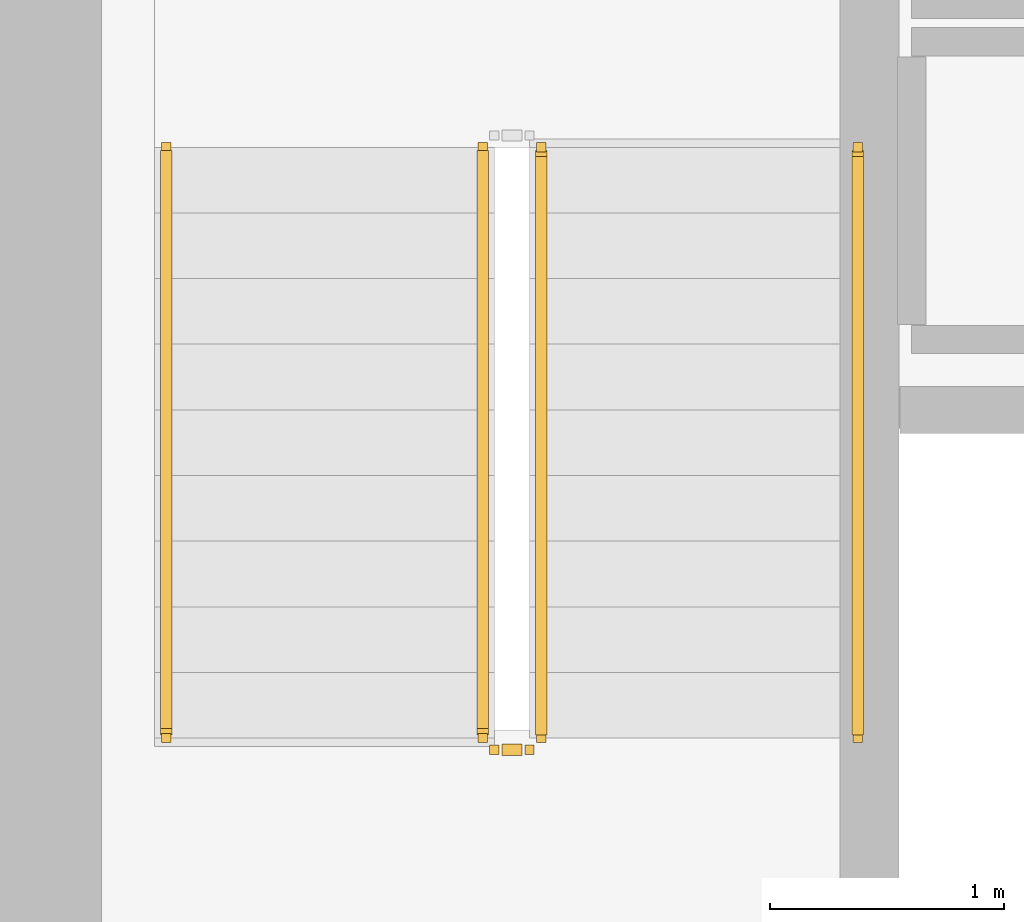
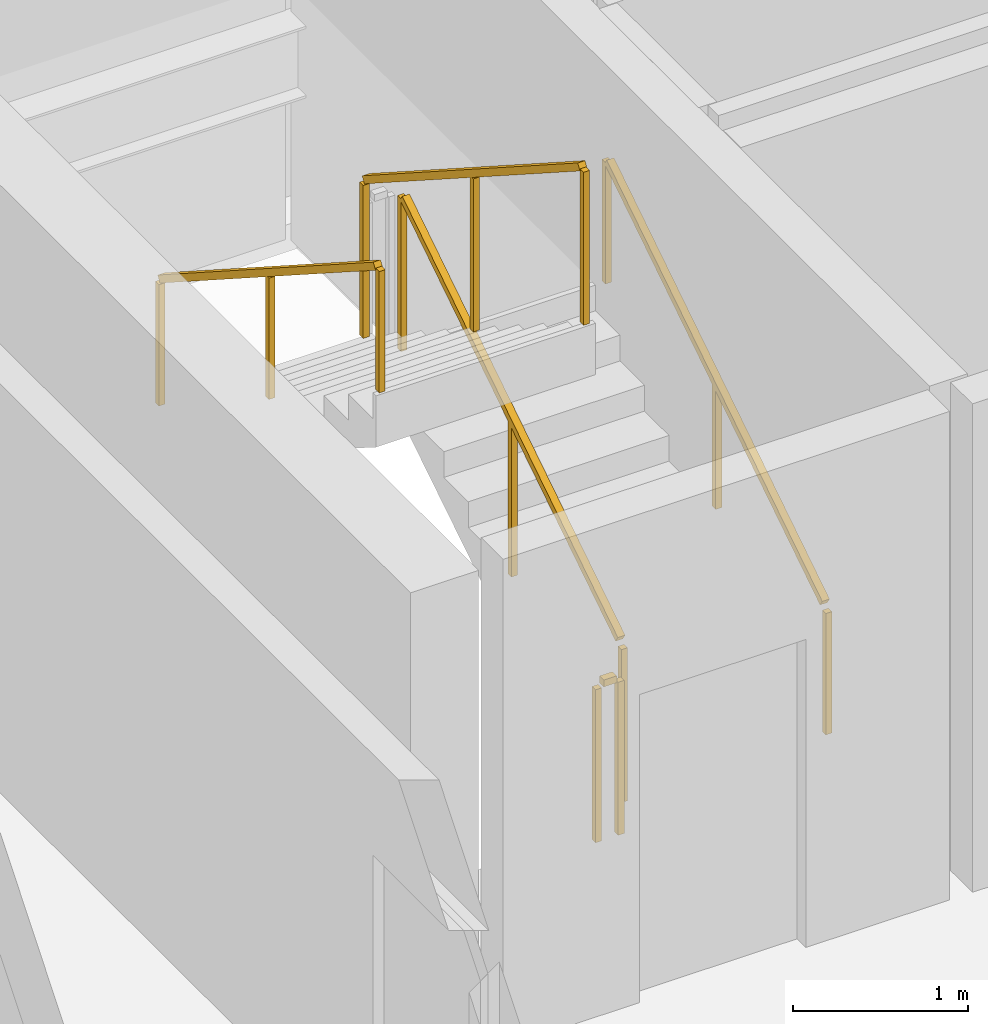
# One storey, part 15 of 19: 5 railings.
"""IFC4 building model written with IfcOpenShell, lengths in metres."""

from ifc_helpers import new_model, si_unit, direction, frame, origin, origin_2d, place, context, subcontext, project, spatial, rectangle, extrude, material, type_object, element, save


model = new_model("IFC4")

# Units and contexts
model_context = context("Model", 3, precision=1e-05, world=origin(), true_north=direction((0.0, 1.0)))
body_context = subcontext(model_context, "Body", "Model", "MODEL_VIEW")
ifc_project = project(units=[si_unit("LENGTHUNIT", "METRE"), si_unit("AREAUNIT", "SQUARE_METRE"), si_unit("VOLUMEUNIT", "CUBIC_METRE"), si_unit("PLANEANGLEUNIT", "RADIAN"), si_unit("MASSUNIT", "GRAM", prefix="KILO")], contexts=[model_context])

# Site, building, storey
site_placement = place(None, origin())
site = spatial("IfcSite", under=ifc_project, at=site_placement, CompositionType="ELEMENT")
building_placement = place(site_placement, origin())
building = spatial("IfcBuilding", under=site, at=building_placement, Name="Tharavind Bronze Gate", CompositionType="ELEMENT")
storey_placement = place(building_placement, frame((0.0, 0.0, 126.85009765625)))
storey = spatial("IfcBuildingStorey", under=building, at=storey_placement, Name="L32", CompositionType="ELEMENT", Elevation=126.85009765625)

# Railings
ifc_material = material(Name="Brushed Bronze Alloy", Category="metal")
railing_type_1 = type_object("IfcRailingType", Name="STAIR BRONZE HANDRAIL 900", PredefinedType="HANDRAIL", material=ifc_material)
railing_1_placement = place(storey_placement, frame((-5.449951171875, -2.25, 0.179931640625)))
element("IfcRailing", 1, at=railing_1_placement, inside=storey, type_object=railing_type_1, Name="L32 ST1 stair handrail 1", PredefinedType="HANDRAIL", context=body_context, shape_type="SweptSolid", body=[
    extrude(rectangle(XDim=0.048095703125, YDim=0.048095703125, at=origin_2d()), frame((0.0, 0.02685546875, 0.89306640625), z_axis=(0.0, 0.841199657755, 0.540724639528), x_axis=(-1.0, 0.0, 0.0)), (0.0, 0.0, 1.0), 2.931640625),
    extrude(rectangle(XDim=0.0400390625, YDim=0.0400390625, at=origin_2d()), origin(), (0.0, 0.0, 1.0), 0.847900390625),
    extrude(rectangle(XDim=0.0400390625, YDim=0.0400390625, at=origin_2d()), frame((0.0, 1.260009765625, 0.81005859375)), (0.0, 0.0, 1.0), 0.847900390625),
    extrude(rectangle(XDim=0.0400390625, YDim=0.0400390625, at=origin_2d()), frame((0.0, 2.52001953125, 1.619873046875)), (0.0, 0.0, 1.0), 0.847900390625),
])
railing_2_placement = place(storey_placement, frame((-8.39990234375, 0.27001953125, 1.97998046875)))
element("IfcRailing", 2, at=railing_2_placement, inside=storey, type_object=railing_type_1, Name="L32 ST1 stair handrail 2", PredefinedType="HANDRAIL", context=body_context, shape_type="SweptSolid", body=[
    extrude(rectangle(XDim=0.048095703125, YDim=0.048095703125, at=origin_2d()), frame((0.0, -0.02685546875, 0.89306640625), z_axis=(0.0, -0.841199657755, 0.540724639528), x_axis=(1.0, 0.0, 0.0)), (0.0, 0.0, 1.0), 2.931640625),
    extrude(rectangle(XDim=0.0400390625, YDim=0.0400390625, at=origin_2d()), origin(), (0.0, 0.0, 1.0), 0.847900390625),
    extrude(rectangle(XDim=0.0400390625, YDim=0.0400390625, at=origin_2d()), frame((0.0, -1.260009765625, 0.81005859375)), (0.0, 0.0, 1.0), 0.847900390625),
    extrude(rectangle(XDim=0.0400390625, YDim=0.0400390625, at=origin_2d()), frame((0.0, -2.52001953125, 1.619873046875)), (0.0, 0.0, 1.0), 0.847900390625),
])
railing_type_2 = type_object("IfcRailingType", Name="STAIR WELL GUARD RAILING 1120", PredefinedType="GUARDRAIL", material=ifc_material)
railing_3_placement = place(storey_placement, frame((-6.800048828125, -2.25, 0.179931640625)))
element("IfcRailing", 3, at=railing_3_placement, inside=storey, type_object=railing_type_2, Name="L32 ST1 stair guard 1", PredefinedType="GUARDRAIL", context=body_context, shape_type="SweptSolid", body=[
    extrude(rectangle(XDim=0.048095703125, YDim=0.048095703125, at=origin_2d()), frame((0.0, 0.02685546875, 1.11328125), z_axis=(0.0, 0.841199657755, 0.540724639528), x_axis=(-1.0, 0.0, 0.0)), (0.0, 0.0, 1.0), 2.931640625),
    extrude(rectangle(XDim=0.0400390625, YDim=0.0400390625, at=origin_2d()), origin(), (0.0, 0.0, 1.0), 1.068115234375),
    extrude(rectangle(XDim=0.0400390625, YDim=0.0400390625, at=origin_2d()), frame((0.0, 1.260009765625, 0.81005859375)), (0.0, 0.0, 1.0), 1.068115234375),
    extrude(rectangle(XDim=0.0400390625, YDim=0.0400390625, at=origin_2d()), frame((0.0, 2.52001953125, 1.619873046875)), (0.0, 0.0, 1.0), 1.068115234375),
])
railing_4_placement = place(storey_placement, frame((-7.050048828125, 0.27001953125, 1.97998046875)))
element("IfcRailing", 4, at=railing_4_placement, inside=storey, type_object=railing_type_2, Name="L32 ST1 stair guard 3", PredefinedType="GUARDRAIL", context=body_context, shape_type="SweptSolid", body=[
    extrude(rectangle(XDim=0.048095703125, YDim=0.048095703125, at=origin_2d()), frame((0.0, -0.02685546875, 1.11328125), z_axis=(0.0, -0.841199657755, 0.540724639528), x_axis=(1.0, 0.0, 0.0)), (0.0, 0.0, 1.0), 2.931640625),
    extrude(rectangle(XDim=0.0400390625, YDim=0.0400390625, at=origin_2d()), origin(), (0.0, 0.0, 1.0), 1.068115234375),
    extrude(rectangle(XDim=0.0400390625, YDim=0.0400390625, at=origin_2d()), frame((0.0, -1.260009765625, 0.81005859375)), (0.0, 0.0, 1.0), 1.068115234375),
    extrude(rectangle(XDim=0.0400390625, YDim=0.0400390625, at=origin_2d()), frame((0.0, -2.52001953125, 1.619873046875)), (0.0, 0.0, 1.0), 1.068115234375),
])
railing_5_placement = place(storey_placement, frame((-6.85009765625, -2.300048828125, 0.0)))
element("IfcRailing", 5, at=railing_5_placement, inside=storey, type_object=railing_type_2, Name="L32 ST1 stair guard 4", PredefinedType="GUARDRAIL", context=body_context, shape_type="SweptSolid", body=[
    extrude(rectangle(XDim=0.048095703125, YDim=0.048095703125, at=origin_2d()), frame((-0.031982421875, 0.0, 1.09619140625), z_axis=(-1.0, 0.0, 0.0), x_axis=(0.0, -1.0, 0.0)), (0.0, 0.0, 1.0), 0.0859375),
    extrude(rectangle(XDim=0.0400390625, YDim=0.0400390625, at=origin_2d()), origin(), (0.0, 0.0, 1.0), 1.068115234375),
    extrude(rectangle(XDim=0.0400390625, YDim=0.0400390625, at=origin_2d()), frame((-0.14990234375, 0.0, 0.0)), (0.0, 0.0, 1.0), 1.068115234375),
])

save(model, "model.ifc")
